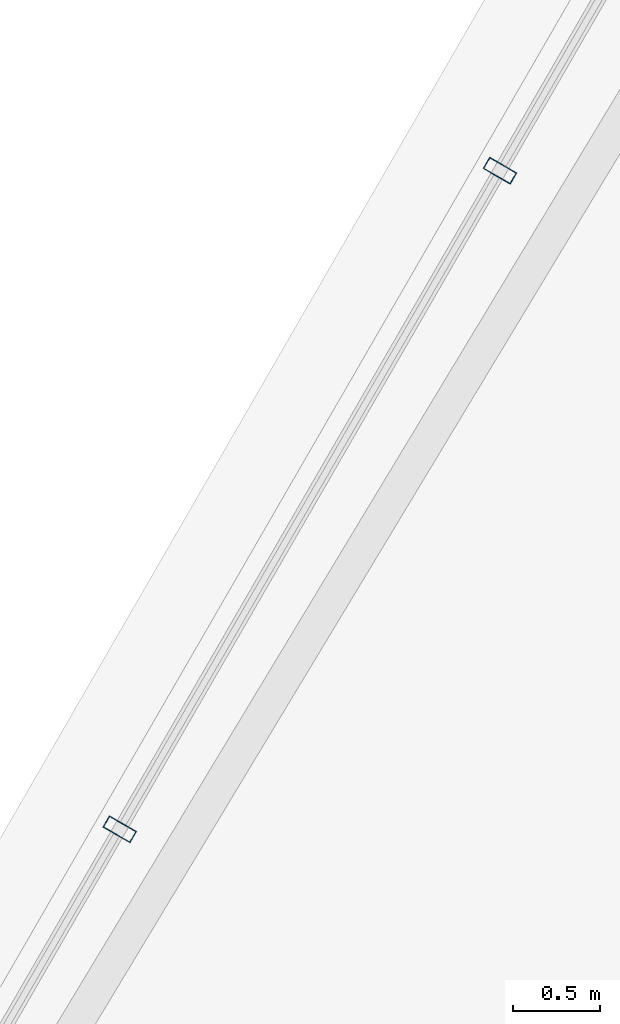
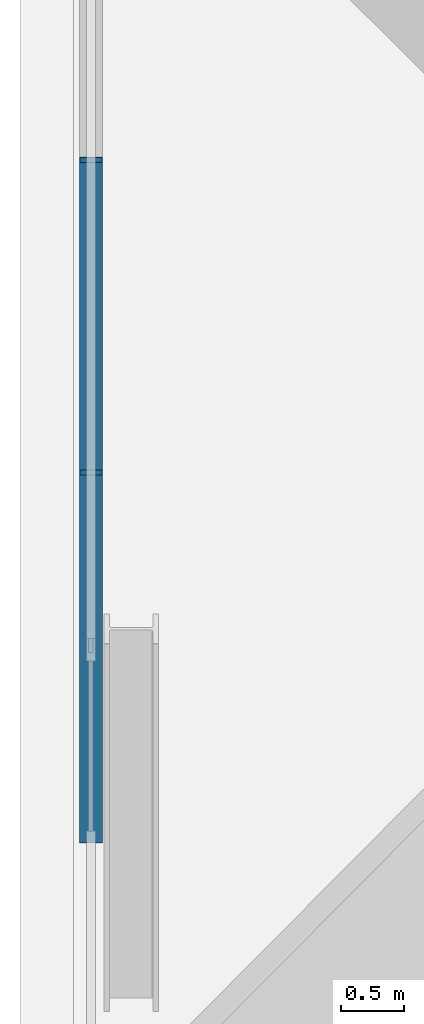
# One storey, part 12 of 29: 2 members, 1 element without a shape of its own.
"""IFC4 building model written with IfcOpenShell, lengths in metres."""

from ifc_helpers import new_model, si_unit, direction, frame, origin, origin_2d, place, context, subcontext, project, spatial, hollow_rectangle, extrude, material, layer, layer_set, material_profile, profile_set, type_object, element, aggregate, save


model = new_model("IFC4")

# Units and contexts
model_context = context("Model", 3, precision=1e-05, world=origin(), true_north=direction((0.0, 1.0)))
body_context = subcontext(model_context, "Body", "Model", "MODEL_VIEW")
ifc_project = project(units=[si_unit("LENGTHUNIT", "METRE"), si_unit("AREAUNIT", "SQUARE_METRE"), si_unit("VOLUMEUNIT", "CUBIC_METRE"), si_unit("PLANEANGLEUNIT", "RADIAN"), si_unit("MASSUNIT", "GRAM", prefix="KILO")], contexts=[model_context])

# Site, building, storey
site_placement = place(None, origin())
site = spatial("IfcSite", under=ifc_project, at=site_placement, CompositionType="ELEMENT")
building_placement = place(site_placement, origin())
building = spatial("IfcBuilding", under=site, at=building_placement, Name="Ndaravel Arena Tower", CompositionType="ELEMENT")
storey_placement = place(building_placement, frame((0.0, 0.0, 229.39990234375)))
storey = spatial("IfcBuildingStorey", under=building, at=storey_placement, Name="L55", CompositionType="ELEMENT", Elevation=229.39990234375)

# Curtain wall, members
ifc_material_1 = material(Name="Aluminium", Category="aluminium")
ifc_layer = layer(ifc_material_1, 0.179931640625)
ifc_layer_set = layer_set([ifc_layer], Name="Aluminium")
curtain_wall_type = type_object("IfcCurtainWallType", Name="CW-SYS-03", PredefinedType="NOTDEFINED", material=ifc_layer_set)
curtain_wall_placement = place(storey_placement, origin())
curtain_wall = element("IfcCurtainWall", 1, at=curtain_wall_placement, inside=storey, type_object=curtain_wall_type, Name="L55 Faceted Crystal Curtain Wall CW-L55-E05", PredefinedType="NOTDEFINED")
ifc_material_2 = material(Name="Aluminium", Category="aluminium")
ifc_material_profile = material_profile(ifc_material_2, hollow_rectangle(XDim=0.074951171875, YDim=0.179931640625, WallThickness=0.00390625, at=origin_2d()), Name="CW MULLION 75x180x4")
ifc_profile_set = profile_set([ifc_material_profile], Name="Aluminium")
member_type = type_object("IfcMemberType", Name="MEM-CW-MUL180", PredefinedType="MULLION", material=ifc_profile_set)
member_1_placement = place(storey_placement, frame((31.87744140625, 33.990966796875, 0.0), z_axis=(0.0, 0.0, 1.0), x_axis=(-0.5, -0.866025403784, 0.0)))
member_1 = element("IfcMember", 2, at=member_1_placement, type_object=member_type, Name="CW-L55-E05 Mullion 03", PredefinedType="MULLION", context=body_context, shape_type="SweptSolid", body=[
    extrude(hollow_rectangle(XDim=0.074951171875, YDim=0.179931640625, WallThickness=0.00390625, at=origin_2d()), origin(), (0.0, 0.0, 1.0), 3.580078125),
])
member_2_placement = place(storey_placement, frame((29.703125, 30.224853515625, 0.0), z_axis=(0.0, 0.0, 1.0), x_axis=(-0.5, -0.866025403784, 0.0)))
member_2 = element("IfcMember", 3, at=member_2_placement, type_object=member_type, Name="CW-L55-E05 Mullion 04", PredefinedType="MULLION", context=body_context, shape_type="SweptSolid", body=[
    extrude(hollow_rectangle(XDim=0.074951171875, YDim=0.179931640625, WallThickness=0.00390625, at=origin_2d()), origin(), (0.0, 0.0, 1.0), 3.580078125),
])
aggregate(curtain_wall, [member_1, member_2])

save(model, "model.ifc")
